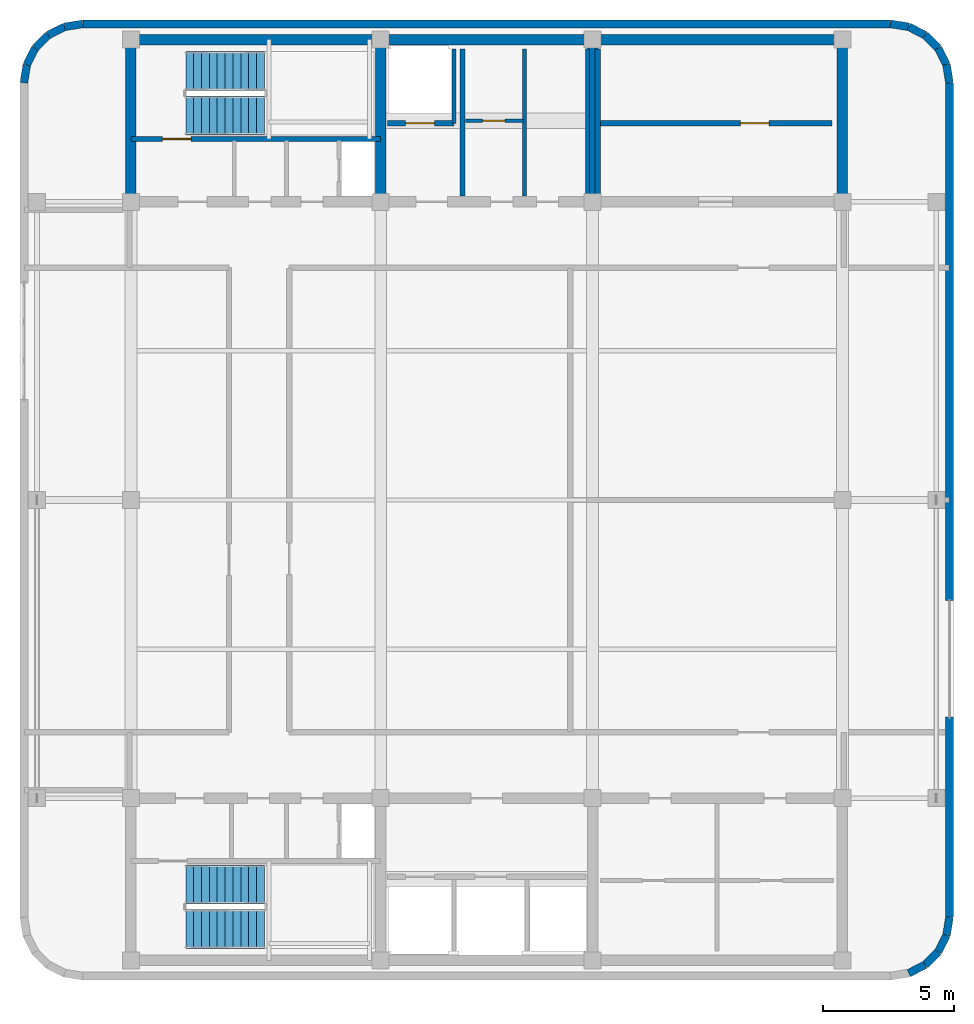
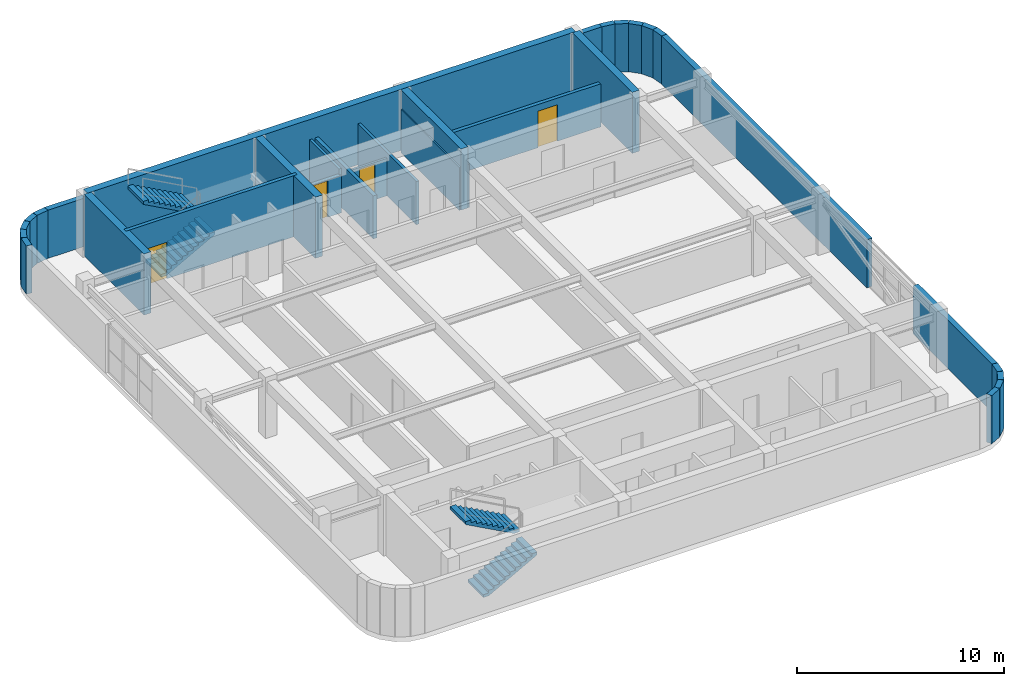
# One storey, part 6 of 9: 31 walls, 4 doors, 4 stair flights, 4 openings, 2 elements without a shape of their own.
"""IFC4 building model written with IfcOpenShell, lengths in metres."""

from ifc_helpers import new_model, si_unit, direction, frame, frame_2d, origin, place, context, subcontext, project, spatial, polyline, rectangle, outline, extrude, material, layer, layer_set, type_object, element, fill, aggregate, save


model = new_model("IFC4")

# Units and contexts
model_context = context("Model", 3, precision=1e-05, world=origin(), true_north=direction((0.0, 1.0)))
body_context = subcontext(model_context, "Body", "Model", "MODEL_VIEW")
ifc_project = project(units=[si_unit("LENGTHUNIT", "METRE"), si_unit("AREAUNIT", "SQUARE_METRE"), si_unit("VOLUMEUNIT", "CUBIC_METRE"), si_unit("PLANEANGLEUNIT", "RADIAN"), si_unit("MASSUNIT", "GRAM", prefix="KILO")], contexts=[model_context])

# Site, building, storey
site_placement = place(None, origin())
site = spatial("IfcSite", under=ifc_project, at=site_placement, CompositionType="ELEMENT")
building_placement = place(site_placement, origin())
building = spatial("IfcBuilding", under=site, at=building_placement, Name="Svetorya Sky Lyceum", CompositionType="ELEMENT")
storey_placement = place(building_placement, frame((0.0, 0.0, 309.199951171875)))
storey = spatial("IfcBuildingStorey", under=building, at=storey_placement, Name="C03", CompositionType="ELEMENT", Elevation=309.199951171875)

# Walls
ifc_material_1 = material(Name="Concrete C40/50", Category="concrete")
ifc_layer_1 = layer(ifc_material_1, 0.39990234375)
ifc_layer_set_1 = layer_set([ifc_layer_1], Name="Concrete C40/50")
wall_type_1 = type_object("IfcWallType", Name="WL-CORE-400", PredefinedType="SHEAR", material=ifc_layer_set_1)
wall_1_placement = place(storey_placement, frame((25.60009765625, 45.800048828125, 0.0), z_axis=(0.0, 0.0, 1.0), x_axis=(1.0, 0.0, 0.0)))
element("IfcWall", 1, at=wall_1_placement, inside=storey, type_object=wall_type_1, Name="C03 NC Outer Core Shear Wall", PredefinedType="SHEAR", context=body_context, shape_type="SweptSolid", body=[
    extrude(rectangle(XDim=27.199951171875, YDim=0.39990234375, at=frame_2d((13.60009765625, 0.0))), origin(), (0.0, 0.0, 1.0), 3.60009765625),
])
for number, where, z_axis, x_axis, name in (
    (2, (25.60009765625, 39.800048828125, 0.0), (0.0, 0.0, 1.0), (0.0, 1.0, 0.0), "C03 NC West Core Shear Wall"),
    (3, (52.800048828125, 39.800048828125, 0.0), (0.0, 0.0, 1.0), (0.0, 1.0, 0.0), "C03 NC East Core Shear Wall"),
    (4, (35.14990234375, 39.800048828125, 0.0), (0.0, 0.0, 1.0), (0.0, 1.0, 0.0), "C03 NC Internal Shear Web WEB1"),
    (5, (43.25, 39.800048828125, 0.0), (0.0, 0.0, 1.0), (0.0, 1.0, 0.0), "C03 NC Internal Shear Web WEB2"),
):
    element("IfcWall", number, at=place(storey_placement, frame(where, z_axis=z_axis, x_axis=x_axis)), inside=storey, type_object=wall_type_1, Name=name, PredefinedType="SHEAR", context=body_context, shape_type="SweptSolid", body=[
        extrude(rectangle(XDim=5.800048828125, YDim=0.39990234375, at=frame_2d((2.89990234375, 0.0))), origin(), (0.0, 0.0, 1.0), 3.60009765625),
    ])
ifc_material_2 = material(Name="Putilovo limestone rainscreen on autoclaved cellular masonry", Category="masonry")
ifc_layer_2 = layer(ifc_material_2, 0.300048828125)
ifc_layer_set_2 = layer_set([ifc_layer_2], Name="Putilovo limestone rainscreen on autoclaved cellular masonry")
wall_type_2 = type_object("IfcWallType", Name="WL-EXT-300", PredefinedType="SOLIDWALL", material=ifc_layer_set_2)
wall_2_placement = place(storey_placement, frame((55.335205078125, 10.110107421875, 0.0), z_axis=(0.0, 0.0, 1.0), x_axis=(0.891002438725, 0.453998517824, 0.0)))
element("IfcWall", 6, at=wall_2_placement, inside=storey, type_object=wall_type_2, Name="C03 Limestone Exterior Wall 8M", PredefinedType="SOLIDWALL", context=body_context, shape_type="SweptSolid", body=[
    extrude(rectangle(XDim=0.703857421875, YDim=0.300048828125, at=frame_2d((0.35205078125, 0.0))), origin(), (0.0, 0.0, 1.0), 2.840087890625),
])
wall_3_placement = place(storey_placement, frame((55.96240234375, 10.4296875, 0.0), z_axis=(0.0, 0.0, 1.0), x_axis=(0.707106781187, 0.707106781187, 0.0)))
element("IfcWall", 7, at=wall_3_placement, inside=storey, type_object=wall_type_2, Name="C03 Limestone Exterior Wall 9M", PredefinedType="SOLIDWALL", context=body_context, shape_type="SweptSolid", body=[
    extrude(rectangle(XDim=0.7041015625, YDim=0.300048828125, at=frame_2d((0.35205078125, 0.0))), origin(), (0.0, 0.0, 1.0), 2.840087890625),
])
for number, where, z_axis, x_axis, name in (
    (8, (56.460205078125, 10.927490234375, 0.0), (0.0, 0.0, 1.0), (0.453998517824, 0.891002438725, 0.0), "C03 Limestone Exterior Wall 10M"),
    (9, (56.77978515625, 11.5546875, 0.0), (0.0, 0.0, 1.0), (0.156407776626, 0.987692567255, 0.0), "C03 Limestone Exterior Wall 11M"),
):
    element("IfcWall", number, at=place(storey_placement, frame(where, z_axis=z_axis, x_axis=x_axis)), inside=storey, type_object=wall_type_2, Name=name, PredefinedType="SOLIDWALL", context=body_context, shape_type="SweptSolid", body=[
        extrude(rectangle(XDim=0.703857421875, YDim=0.300048828125, at=frame_2d((0.35205078125, 0.0))), origin(), (0.0, 0.0, 1.0), 2.840087890625),
    ])
wall_4_placement = place(storey_placement, frame((56.889892578125, 12.25, 0.0), z_axis=(0.0, 0.0, 1.0), x_axis=(0.0, 1.0, 0.0)))
element("IfcWall", 10, at=wall_4_placement, inside=storey, type_object=wall_type_2, Name="C03 Limestone Exterior Wall 12A", PredefinedType="SOLIDWALL", context=body_context, shape_type="SweptSolid", body=[
    extrude(rectangle(XDim=7.64990234375, YDim=0.300048828125, at=frame_2d((3.824951171875, 0.0))), origin(), (0.0, 0.0, 1.0), 2.840087890625),
])
wall_5_placement = place(storey_placement, frame((56.889892578125, 24.35009765625, 0.0), z_axis=(0.0, 0.0, 1.0), x_axis=(0.0, 1.0, 0.0)))
element("IfcWall", 11, at=wall_5_placement, inside=storey, type_object=wall_type_2, Name="C03 Limestone Exterior Wall 12B", PredefinedType="SOLIDWALL", context=body_context, shape_type="SweptSolid", body=[
    extrude(rectangle(XDim=19.7998046875, YDim=0.300048828125, at=frame_2d((9.89990234375, 0.0))), origin(), (0.0, 0.0, 1.0), 2.840087890625),
])
for number, where, z_axis, x_axis, name in (
    (12, (56.889892578125, 44.14990234375, 0.0), (0.0, 0.0, 1.0), (-0.156407776626, 0.987692567255, 0.0), "C03 Limestone Exterior Wall 13M"),
    (13, (56.77978515625, 44.84521484375, 0.0), (0.0, 0.0, 1.0), (-0.453998517824, 0.891002438725, 0.0), "C03 Limestone Exterior Wall 14M"),
):
    element("IfcWall", number, at=place(storey_placement, frame(where, z_axis=z_axis, x_axis=x_axis)), inside=storey, type_object=wall_type_2, Name=name, PredefinedType="SOLIDWALL", context=body_context, shape_type="SweptSolid", body=[
        extrude(rectangle(XDim=0.703857421875, YDim=0.300048828125, at=frame_2d((0.35205078125, 0.0))), origin(), (0.0, 0.0, 1.0), 2.840087890625),
    ])
wall_6_placement = place(storey_placement, frame((56.460205078125, 45.472412109375, 0.0), z_axis=(0.0, 0.0, 1.0), x_axis=(-0.707106781187, 0.707106781187, 0.0)))
element("IfcWall", 14, at=wall_6_placement, inside=storey, type_object=wall_type_2, Name="C03 Limestone Exterior Wall 15M", PredefinedType="SOLIDWALL", context=body_context, shape_type="SweptSolid", body=[
    extrude(rectangle(XDim=0.7041015625, YDim=0.300048828125, at=frame_2d((0.35205078125, 0.0))), origin(), (0.0, 0.0, 1.0), 2.840087890625),
])
for number, where, z_axis, x_axis, name in (
    (15, (55.96240234375, 45.97021484375, 0.0), (0.0, 0.0, 1.0), (-0.891002438725, 0.453998517824, 0.0), "C03 Limestone Exterior Wall 16M"),
    (16, (55.335205078125, 46.289794921875, 0.0), (0.0, 0.0, 1.0), (-0.987692567255, 0.156407776626, 0.0), "C03 Limestone Exterior Wall 17M"),
):
    element("IfcWall", number, at=place(storey_placement, frame(where, z_axis=z_axis, x_axis=x_axis)), inside=storey, type_object=wall_type_2, Name=name, PredefinedType="SOLIDWALL", context=body_context, shape_type="SweptSolid", body=[
        extrude(rectangle(XDim=0.703857421875, YDim=0.300048828125, at=frame_2d((0.35205078125, 0.0))), origin(), (0.0, 0.0, 1.0), 2.840087890625),
    ])
wall_7_placement = place(storey_placement, frame((54.639892578125, 46.39990234375, 0.0), z_axis=(0.0, 0.0, 1.0), x_axis=(-1.0, 0.0, 0.0)))
element("IfcWall", 17, at=wall_7_placement, inside=storey, type_object=wall_type_2, Name="C03 Limestone Exterior Wall 18M", PredefinedType="SOLIDWALL", context=body_context, shape_type="SweptSolid", body=[
    extrude(rectangle(XDim=30.8798828125, YDim=0.300048828125, at=frame_2d((15.43994140625, 0.0))), origin(), (0.0, 0.0, 1.0), 2.840087890625),
])
for number, where, z_axis, x_axis, name in (
    (18, (23.760009765625, 46.39990234375, 0.0), (0.0, 0.0, 1.0), (-0.987692567255, -0.156407776626, 0.0), "C03 Limestone Exterior Wall 19M"),
    (19, (23.064697265625, 46.289794921875, 0.0), (0.0, 0.0, 1.0), (-0.891002438725, -0.453998517824, 0.0), "C03 Limestone Exterior Wall 20M"),
):
    element("IfcWall", number, at=place(storey_placement, frame(where, z_axis=z_axis, x_axis=x_axis)), inside=storey, type_object=wall_type_2, Name=name, PredefinedType="SOLIDWALL", context=body_context, shape_type="SweptSolid", body=[
        extrude(rectangle(XDim=0.703857421875, YDim=0.300048828125, at=frame_2d((0.35205078125, 0.0))), origin(), (0.0, 0.0, 1.0), 2.840087890625),
    ])
wall_8_placement = place(storey_placement, frame((22.4375, 45.97021484375, 0.0), z_axis=(0.0, 0.0, 1.0), x_axis=(-0.707106781187, -0.707106781187, 0.0)))
element("IfcWall", 20, at=wall_8_placement, inside=storey, type_object=wall_type_2, Name="C03 Limestone Exterior Wall 21M", PredefinedType="SOLIDWALL", context=body_context, shape_type="SweptSolid", body=[
    extrude(rectangle(XDim=0.7041015625, YDim=0.300048828125, at=frame_2d((0.35205078125, 0.0))), origin(), (0.0, 0.0, 1.0), 2.840087890625),
])
for number, where, z_axis, x_axis, name in (
    (21, (21.939697265625, 45.472412109375, 0.0), (0.0, 0.0, 1.0), (-0.453998517824, -0.891002438725, 0.0), "C03 Limestone Exterior Wall 22M"),
    (22, (21.6201171875, 44.84521484375, 0.0), (0.0, 0.0, 1.0), (-0.156407776626, -0.987692567255, 0.0), "C03 Limestone Exterior Wall 23M"),
):
    element("IfcWall", number, at=place(storey_placement, frame(where, z_axis=z_axis, x_axis=x_axis)), inside=storey, type_object=wall_type_2, Name=name, PredefinedType="SOLIDWALL", context=body_context, shape_type="SweptSolid", body=[
        extrude(rectangle(XDim=0.703857421875, YDim=0.300048828125, at=frame_2d((0.35205078125, 0.0))), origin(), (0.0, 0.0, 1.0), 2.840087890625),
    ])

# Wall, opening, door
ifc_material_3 = material(Name="Twin-stud galvanized framing with double fireboard", Category="gypsum")
ifc_layer_3 = layer(ifc_material_3, 0.1201171875)
ifc_layer_set_3 = layer_set([ifc_layer_3], Name="Twin-stud galvanized framing with double fireboard")
wall_type_3 = type_object("IfcWallType", Name="WL-PART-120", PredefinedType="PARTITIONING", material=ifc_layer_set_3)
wall_9_placement = place(storey_placement, frame((38.39990234375, 42.699951171875, 0.0), z_axis=(0.0, 0.0, 1.0), x_axis=(1.0, 0.0, 0.0)))
wall_9 = element("IfcWall", 23, at=wall_9_placement, inside=storey, type_object=wall_type_3, Name="C03 Interior Partition NC-FPM-H", PredefinedType="PARTITIONING", context=body_context, shape_type="SweptSolid", body=[
    extrude(rectangle(XDim=2.2001953125, YDim=0.1201171875, at=frame_2d((1.10009765625, 0.0))), origin(), (0.0, 0.0, 1.0), 2.199951171875),
])
opening_1_placement = place(wall_9_placement, frame((0.64990234375, 0.0, 0.0)))
opening_1 = element("IfcOpeningElement", 24, at=opening_1_placement, cuts=wall_9, Name="Opening D-CWC1", PredefinedType="OPENING", context=body_context, shape_type="SweptSolid", body=[
    extrude(rectangle(XDim=0.85009765625, YDim=2.10009765625, at=frame_2d((0.425048828125, 1.050048828125))), frame((0.0, 0.070068359375, 0.0), z_axis=(0.0, -1.0, 0.0), x_axis=(1.0, 0.0, 0.0)), (0.0, 0.0, 1.0), 0.14013671875),
])
ifc_material_4 = material(Name="Fire-rated galvanized steel core service closet door", Category="steel")
door_type_1 = type_object("IfcDoorType", Name="DR-CWET-850", OperationType="SINGLE_SWING_LEFT", PredefinedType="DOOR", material=ifc_material_4)
door_1_placement = place(opening_1_placement, origin())
door_1 = element("IfcDoor", 25, at=door_1_placement, inside=storey, type_object=door_type_1, Name="C03 Rear IT Closet Door", OperationType="SINGLE_SWING_LEFT", OverallHeight=2.10009765625, OverallWidth=0.85009765625, PredefinedType="DOOR", context=body_context, shape_type="SweptSolid", body=[
    extrude(rectangle(XDim=0.85009765625, YDim=2.10009765625, at=frame_2d((0.425048828125, 1.050048828125))), frame((0.0, 0.02490234375, 0.0), z_axis=(0.0, -1.0, 0.0), x_axis=(1.0, 0.0, 0.0)), (0.0, 0.0, 1.0), 0.050048828125),
])
fill(opening_1, door_1)

# Walls
ifc_material_5 = material(Name="Autoclaved cellular masonry blockwork with acoustic render", Category="masonry")
ifc_layer_4 = layer(ifc_material_5, 0.14990234375)
ifc_layer_set_4 = layer_set([ifc_layer_4], Name="Autoclaved cellular masonry blockwork with acoustic render")
wall_type_4 = type_object("IfcWallType", Name="WL-PART-150", PredefinedType="PARTITIONING", material=ifc_layer_set_4)
wall_10_placement = place(storey_placement, frame((37.949951171875, 42.60009765625, 0.0), z_axis=(0.0, 0.0, 1.0), x_axis=(0.0, 1.0, 0.0)))
element("IfcWall", 26, at=wall_10_placement, inside=storey, type_object=wall_type_4, Name="C03 Interior Partition NC-FL1SIDE", PredefinedType="PARTITIONING", context=body_context, shape_type="SweptSolid", body=[
    extrude(rectangle(XDim=2.849853515625, YDim=0.14990234375, at=frame_2d((1.4248046875, 0.0))), origin(), (0.0, 0.0, 1.0), 2.5400390625),
])
for number, where, z_axis, x_axis, name in (
    (27, (43.050048828125, 39.820068359375, 0.0), (0.0, 0.0, 1.0), (0.0, 1.0, 0.0), "C03 Interior Partition NC-FPM-END"),
    (28, (40.64990234375, 39.820068359375, 0.0), (0.0, 0.0, 1.0), (0.0, 1.0, 0.0), "C03 Interior Partition NC-FPM-V"),
):
    element("IfcWall", number, at=place(storey_placement, frame(where, z_axis=z_axis, x_axis=x_axis)), inside=storey, type_object=wall_type_4, Name=name, PredefinedType="PARTITIONING", context=body_context, shape_type="SweptSolid", body=[
        extrude(rectangle(XDim=5.6298828125, YDim=0.14990234375, at=frame_2d((2.81494140625, 0.0))), origin(), (0.0, 0.0, 1.0), 2.5400390625),
    ])

# Wall, opening, door
ifc_material_6 = material(Name="Autoclaved cellular masonry blockwork with gypsum plaster", Category="masonry")
ifc_layer_5 = layer(ifc_material_6, 0.199951171875)
ifc_layer_set_5 = layer_set([ifc_layer_5], Name="Autoclaved cellular masonry blockwork with gypsum plaster")
wall_type_5 = type_object("IfcWallType", Name="WL-PART-200", PredefinedType="PARTITIONING", material=ifc_layer_set_5)
wall_11_placement = place(storey_placement, frame((37.949951171875, 42.60009765625, 0.0), z_axis=(0.0, 0.0, 1.0), x_axis=(-1.0, 0.0, 0.0)))
wall_11 = element("IfcWall", 29, at=wall_11_placement, inside=storey, type_object=wall_type_5, Name="C03 Interior Partition NC-FL1W", PredefinedType="PARTITIONING", context=body_context, shape_type="SweptSolid", body=[
    extrude(rectangle(XDim=2.550048828125, YDim=0.199951171875, at=frame_2d((1.27490234375, 0.0))), origin(), (0.0, 0.0, 1.0), 2.199951171875),
])
opening_2_placement = place(wall_11_placement, frame((0.75, 0.0, 0.0)))
opening_2 = element("IfcOpeningElement", 30, at=opening_2_placement, cuts=wall_11, Name="Opening LD-FL", PredefinedType="OPENING", context=body_context, shape_type="SweptSolid", body=[
    extrude(rectangle(XDim=1.10009765625, YDim=2.14990234375, at=frame_2d((0.550048828125, 1.074951171875))), frame((0.0, 0.10986328125, 0.0), z_axis=(0.0, -1.0, 0.0), x_axis=(1.0, 0.0, 0.0)), (0.0, 0.0, 1.0), 0.219970703125),
])
ifc_material_7 = material(Name="Fire-rated stainless AISI 304 firefighting lift landing door")
door_type_2 = type_object("IfcDoorType", Name="DR-LIFT-1100", OperationType="SLIDING_TO_LEFT", PredefinedType="DOOR", material=ifc_material_7)
door_2_placement = place(opening_2_placement, origin())
door_2 = element("IfcDoor", 31, at=door_2_placement, inside=storey, type_object=door_type_2, Name="C03 Firefighting Lift FL1 Landing Door", OperationType="SLIDING_TO_LEFT", OverallHeight=2.14990234375, OverallWidth=1.10009765625, PredefinedType="DOOR", context=body_context, shape_type="SweptSolid", body=[
    extrude(rectangle(XDim=1.10009765625, YDim=2.14990234375, at=frame_2d((0.550048828125, 1.074951171875))), frame((0.0, 0.02490234375, 0.0), z_axis=(0.0, -1.0, 0.0), x_axis=(1.0, 0.0, 0.0)), (0.0, 0.0, 1.0), 0.050048828125),
])
fill(opening_2, door_2)

# Walls
for number, where, z_axis, x_axis, name in (
    (32, (38.280029296875, 39.820068359375, 0.0), (0.0, 0.0, 1.0), (0.0, 1.0, 0.0), "C03 Interior Partition NC-FFLDIV"),
    (33, (43.449951171875, 39.820068359375, 0.0), (0.0, 0.0, 1.0), (0.0, 1.0, 0.0), "C03 Interior Partition NC-CPMR-W"),
):
    element("IfcWall", number, at=place(storey_placement, frame(where, z_axis=z_axis, x_axis=x_axis)), inside=storey, type_object=wall_type_5, Name=name, PredefinedType="PARTITIONING", context=body_context, shape_type="SweptSolid", body=[
        extrude(rectangle(XDim=5.6298828125, YDim=0.199951171875, at=frame_2d((2.81494140625, 0.0))), origin(), (0.0, 0.0, 1.0), 2.5400390625),
    ])

# Wall, opening, door
wall_12_placement = place(storey_placement, frame((52.39990234375, 42.60009765625, 0.0), z_axis=(0.0, 0.0, 1.0), x_axis=(-1.0, 0.0, 0.0)))
wall_12 = element("IfcWall", 34, at=wall_12_placement, inside=storey, type_object=wall_type_5, Name="C03 Interior Partition NC-PHW", PredefinedType="PARTITIONING", context=body_context, shape_type="SweptSolid", body=[
    extrude(rectangle(XDim=8.849853515625, YDim=0.199951171875, at=frame_2d((4.4248046875, 0.0))), origin(), (0.0, 0.0, 1.0), 2.5400390625),
])
opening_3_placement = place(wall_12_placement, frame((2.39990234375, 0.0, 0.0)))
opening_3 = element("IfcOpeningElement", 35, at=opening_3_placement, cuts=wall_12, Name="Opening D-ST1", PredefinedType="OPENING", context=body_context, shape_type="SweptSolid", body=[
    extrude(rectangle(XDim=1.10009765625, YDim=2.14990234375, at=frame_2d((0.550048828125, 1.074951171875))), frame((0.0, 0.10986328125, 0.0), z_axis=(0.0, -1.0, 0.0), x_axis=(1.0, 0.0, 0.0)), (0.0, 0.0, 1.0), 0.219970703125),
])
ifc_material_8 = material(Name="Powder-coated insulated galvanized stair fire door")
door_type_3 = type_object("IfcDoorType", Name="DR-FIRE-1100", OperationType="SINGLE_SWING_LEFT", PredefinedType="DOOR", material=ifc_material_8)
door_3_placement = place(opening_3_placement, origin())
door_3 = element("IfcDoor", 36, at=door_3_placement, inside=storey, type_object=door_type_3, Name="C03 Lift Motor Room Door", OperationType="SINGLE_SWING_LEFT", OverallHeight=2.14990234375, OverallWidth=1.10009765625, PredefinedType="DOOR", context=body_context, shape_type="SweptSolid", body=[
    extrude(rectangle(XDim=1.10009765625, YDim=2.14990234375, at=frame_2d((0.550048828125, 1.074951171875))), frame((0.0, 0.02490234375, 0.0), z_axis=(0.0, -1.0, 0.0), x_axis=(1.0, 0.0, 0.0)), (0.0, 0.0, 1.0), 0.050048828125),
])
fill(opening_3, door_3)

ifc_material_9 = material(Name="Concrete C50/60", Category="concrete")
ifc_layer_6 = layer(ifc_material_9, 0.199951171875)
ifc_layer_set_6 = layer_set([ifc_layer_6], Name="Concrete C50/60")
wall_type_6 = type_object("IfcWallType", Name="WL-SHW-200", PredefinedType="SHEAR", material=ifc_layer_set_6)
wall_13_placement = place(storey_placement, frame((35.14990234375, 42.0, 0.0), z_axis=(0.0, 0.0, 1.0), x_axis=(-1.0, 0.0, 0.0)))
wall_13 = element("IfcWall", 37, at=wall_13_placement, inside=storey, type_object=wall_type_6, Name="C03 Structural Stair Shaft Wall NC-STW", PredefinedType="SHEAR", context=body_context, shape_type="SweptSolid", body=[
    extrude(rectangle(XDim=9.5498046875, YDim=0.199951171875, at=frame_2d((4.77490234375, 0.0))), origin(), (0.0, 0.0, 1.0), 3.60009765625),
])
opening_4_placement = place(wall_13_placement, frame((7.25, 0.0, 0.0)))
opening_4 = element("IfcOpeningElement", 38, at=opening_4_placement, cuts=wall_13, Name="Opening D-ST1", PredefinedType="OPENING", context=body_context, shape_type="SweptSolid", body=[
    extrude(rectangle(XDim=1.10009765625, YDim=2.14990234375, at=frame_2d((0.550048828125, 1.074951171875))), frame((0.0, 0.10986328125, 0.0), z_axis=(0.0, -1.0, 0.0), x_axis=(1.0, 0.0, 0.0)), (0.0, 0.0, 1.0), 0.219970703125),
])
door_4_placement = place(opening_4_placement, origin())
door_4 = element("IfcDoor", 39, at=door_4_placement, inside=storey, type_object=door_type_3, Name="C03 Stair ST-N Vestibule Fire Door", OperationType="SINGLE_SWING_RIGHT", OverallHeight=2.14990234375, OverallWidth=1.10009765625, PredefinedType="DOOR", context=body_context, shape_type="SweptSolid", body=[
    extrude(rectangle(XDim=1.10009765625, YDim=2.14990234375, at=frame_2d((0.550048828125, 1.074951171875))), frame((0.0, 0.02490234375, 0.0), z_axis=(0.0, -1.0, 0.0), x_axis=(1.0, 0.0, 0.0)), (0.0, 0.0, 1.0), 0.050048828125),
])
fill(opening_4, door_4)

# Stair, stair flights
stair_type_1 = type_object("IfcStairType", Name="STR-ST-N", PredefinedType="HALF_TURN_STAIR", material=ifc_material_1)
stair_1_placement = place(storey_placement, origin())
stair_1 = element("IfcStair", 40, at=stair_1_placement, inside=storey, type_object=stair_type_1, Name="C03 North Core Smoke-Free Exit Stair N3", PredefinedType="HALF_TURN_STAIR")
stair_flight_type_1 = type_object("IfcStairFlightType", Name="SFL-ST-N", PredefinedType="STRAIGHT", material=ifc_material_1)
stair_flight_1_placement = place(storey_placement, frame((27.699951171875, 42.89990234375, 0.0), z_axis=(0.0, 0.0, 1.0), x_axis=(1.0, 0.0, 0.0)))
stair_flight_1 = element("IfcStairFlight", 41, at=stair_flight_1_placement, type_object=stair_flight_type_1, Name="ST-N flight 1", NumberOfRisers=11, NumberOfTreads=10, PredefinedType="STRAIGHT", RiserHeight=0.163636364, TreadLength=0.3, context=body_context, shape_type="SweptSolid", body=[
    extrude(outline(polyline([(0.0, 0.0), (0.0, 0.16357421875), (0.300048828125, 0.16357421875), (0.300048828125, 0.327392578125), (0.60009765625, 0.327392578125), (0.60009765625, 0.490966796875), (0.89990234375, 0.490966796875), (0.89990234375, 0.654541015625), (1.199951171875, 0.654541015625), (1.199951171875, 0.818115234375), (1.5, 0.818115234375), (1.5, 0.98193359375), (1.800048828125, 0.98193359375), (1.800048828125, 1.1455078125), (2.10009765625, 1.1455078125), (2.10009765625, 1.30908203125), (2.39990234375, 1.30908203125), (2.39990234375, 1.47265625), (2.699951171875, 1.47265625), (2.699951171875, 1.636474609375), (3.0, 1.636474609375), (3.0, 1.800048828125), (3.0, 1.465576171875), (0.31298828125, 0.0), (0.0, 0.0)])), frame((0.0, 0.75, 0.0), z_axis=(0.0, -1.0, 0.0), x_axis=(1.0, 0.0, 0.0)), (0.0, 0.0, 1.0), 1.5),
])
stair_flight_2_placement = place(storey_placement, frame((30.699951171875, 44.60009765625, 1.800048828125), z_axis=(0.0, 0.0, 1.0), x_axis=(-1.0, 0.0, 0.0)))
stair_flight_2 = element("IfcStairFlight", 42, at=stair_flight_2_placement, type_object=stair_flight_type_1, Name="ST-N flight 2", NumberOfRisers=11, NumberOfTreads=10, PredefinedType="STRAIGHT", RiserHeight=0.163636364, TreadLength=0.3, context=body_context, shape_type="SweptSolid", body=[
    extrude(outline(polyline([(0.0, 0.0), (0.0, 0.16357421875), (0.300048828125, 0.16357421875), (0.300048828125, 0.327392578125), (0.60009765625, 0.327392578125), (0.60009765625, 0.490966796875), (0.89990234375, 0.490966796875), (0.89990234375, 0.654541015625), (1.199951171875, 0.654541015625), (1.199951171875, 0.818115234375), (1.5, 0.818115234375), (1.5, 0.98193359375), (1.800048828125, 0.98193359375), (1.800048828125, 1.1455078125), (2.10009765625, 1.1455078125), (2.10009765625, 1.30908203125), (2.39990234375, 1.30908203125), (2.39990234375, 1.47265625), (2.699951171875, 1.47265625), (2.699951171875, 1.636474609375), (3.0, 1.636474609375), (3.0, 1.800048828125), (3.0, 1.465576171875), (0.31298828125, 0.0), (0.0, 0.0)])), frame((0.0, 0.75, 0.0), z_axis=(0.0, -1.0, 0.0), x_axis=(1.0, 0.0, 0.0)), (0.0, 0.0, 1.0), 1.5),
])
aggregate(stair_1, [stair_flight_1, stair_flight_2])

stair_type_2 = type_object("IfcStairType", Name="STR-ST-S", PredefinedType="HALF_TURN_STAIR", material=ifc_material_1)
stair_2_placement = place(storey_placement, origin())
stair_2 = element("IfcStair", 43, at=stair_2_placement, inside=storey, type_object=stair_type_2, Name="C03 South Core Smoke-Free Exit Stair N2", PredefinedType="HALF_TURN_STAIR")
stair_flight_type_2 = type_object("IfcStairFlightType", Name="SFL-ST-S", PredefinedType="STRAIGHT", material=ifc_material_1)
stair_flight_3_placement = place(storey_placement, frame((27.699951171875, 11.800048828125, 0.0), z_axis=(0.0, 0.0, 1.0), x_axis=(1.0, 0.0, 0.0)))
stair_flight_3 = element("IfcStairFlight", 44, at=stair_flight_3_placement, type_object=stair_flight_type_2, Name="ST-S flight 1", NumberOfRisers=11, NumberOfTreads=10, PredefinedType="STRAIGHT", RiserHeight=0.163636364, TreadLength=0.3, context=body_context, shape_type="SweptSolid", body=[
    extrude(outline(polyline([(0.0, 0.0), (0.0, 0.16357421875), (0.300048828125, 0.16357421875), (0.300048828125, 0.327392578125), (0.60009765625, 0.327392578125), (0.60009765625, 0.490966796875), (0.89990234375, 0.490966796875), (0.89990234375, 0.654541015625), (1.199951171875, 0.654541015625), (1.199951171875, 0.818115234375), (1.5, 0.818115234375), (1.5, 0.98193359375), (1.800048828125, 0.98193359375), (1.800048828125, 1.1455078125), (2.10009765625, 1.1455078125), (2.10009765625, 1.30908203125), (2.39990234375, 1.30908203125), (2.39990234375, 1.47265625), (2.699951171875, 1.47265625), (2.699951171875, 1.636474609375), (3.0, 1.636474609375), (3.0, 1.800048828125), (3.0, 1.465576171875), (0.31298828125, 0.0), (0.0, 0.0)])), frame((0.0, 0.75, 0.0), z_axis=(0.0, -1.0, 0.0), x_axis=(1.0, 0.0, 0.0)), (0.0, 0.0, 1.0), 1.5),
])
stair_flight_4_placement = place(storey_placement, frame((30.699951171875, 13.5, 1.800048828125), z_axis=(0.0, 0.0, 1.0), x_axis=(-1.0, 0.0, 0.0)))
stair_flight_4 = element("IfcStairFlight", 45, at=stair_flight_4_placement, type_object=stair_flight_type_2, Name="ST-S flight 2", NumberOfRisers=11, NumberOfTreads=10, PredefinedType="STRAIGHT", RiserHeight=0.163636364, TreadLength=0.3, context=body_context, shape_type="SweptSolid", body=[
    extrude(outline(polyline([(0.0, 0.0), (0.0, 0.16357421875), (0.300048828125, 0.16357421875), (0.300048828125, 0.327392578125), (0.60009765625, 0.327392578125), (0.60009765625, 0.490966796875), (0.89990234375, 0.490966796875), (0.89990234375, 0.654541015625), (1.199951171875, 0.654541015625), (1.199951171875, 0.818115234375), (1.5, 0.818115234375), (1.5, 0.98193359375), (1.800048828125, 0.98193359375), (1.800048828125, 1.1455078125), (2.10009765625, 1.1455078125), (2.10009765625, 1.30908203125), (2.39990234375, 1.30908203125), (2.39990234375, 1.47265625), (2.699951171875, 1.47265625), (2.699951171875, 1.636474609375), (3.0, 1.636474609375), (3.0, 1.800048828125), (3.0, 1.465576171875), (0.31298828125, 0.0), (0.0, 0.0)])), frame((0.0, 0.75, 0.0), z_axis=(0.0, -1.0, 0.0), x_axis=(1.0, 0.0, 0.0)), (0.0, 0.0, 1.0), 1.5),
])
aggregate(stair_2, [stair_flight_3, stair_flight_4])

save(model, "model.ifc")
